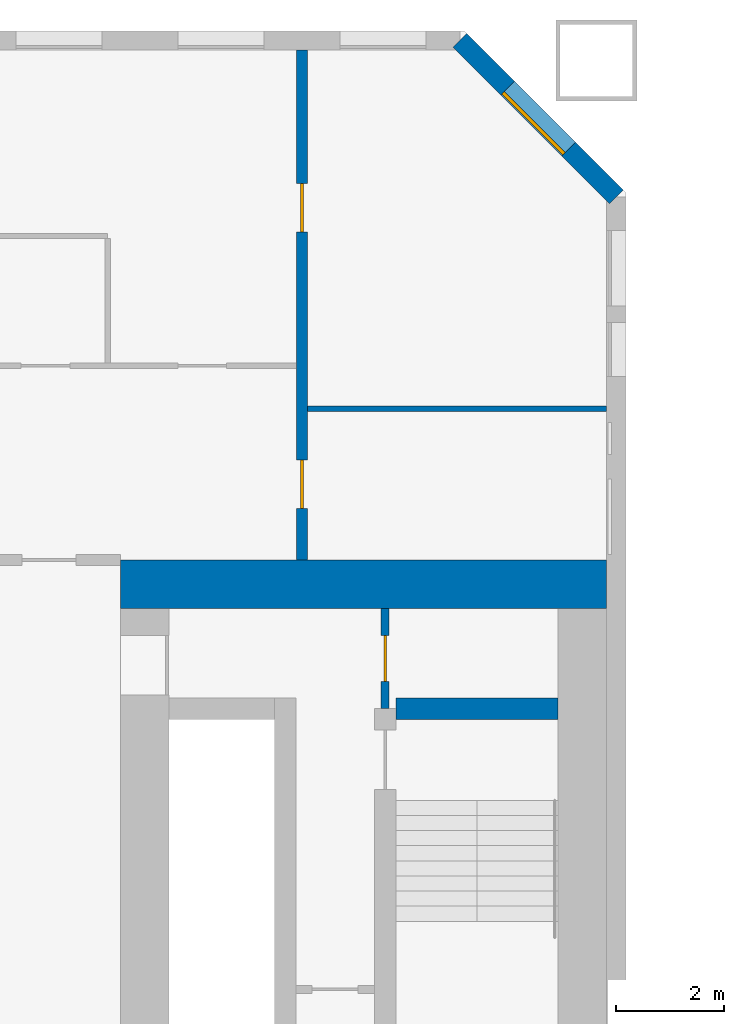
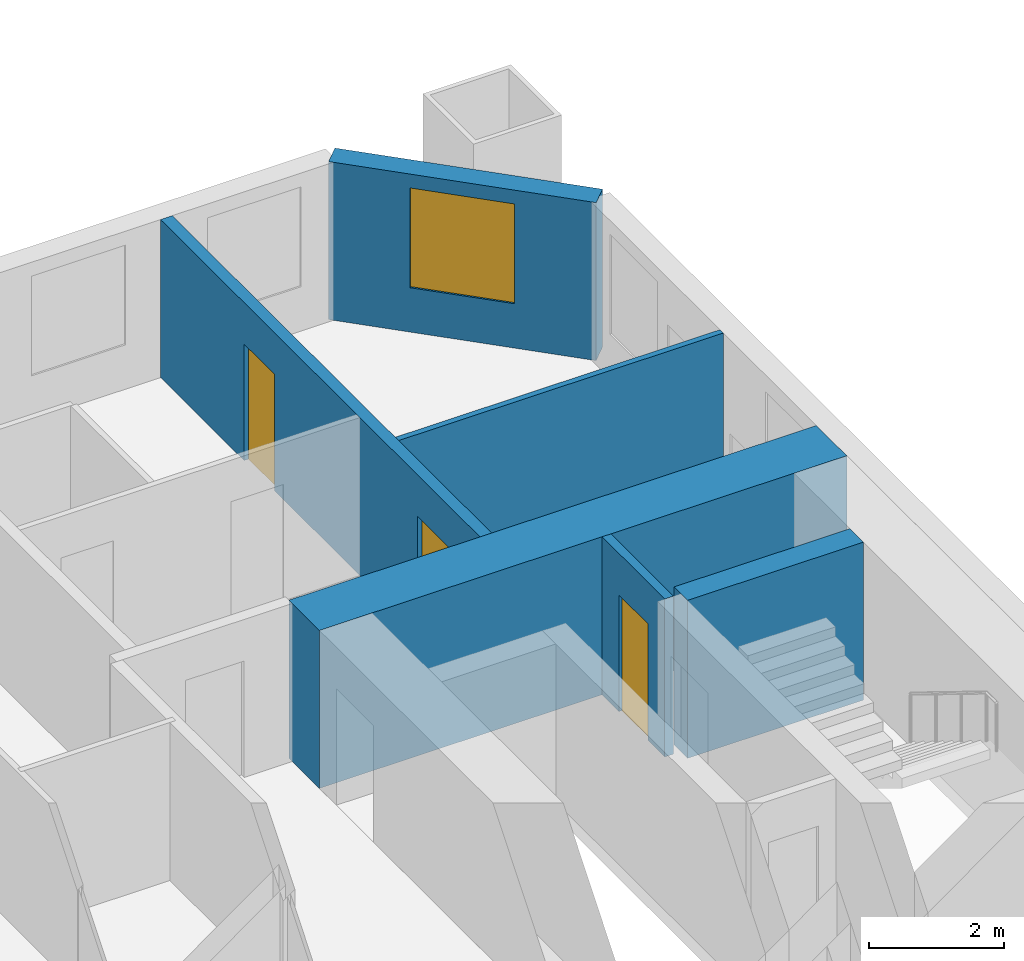
# One storey, part 9 of 18: 6 walls, 3 doors, 1 window, 4 openings.
"""IFC4 building model written with IfcOpenShell, lengths in metres."""

import ifcopenshell
import ifcopenshell.guid

model = None  # the IFC model being written
_history = None  # IfcOwnerHistory: only IFC2X3 demands one
_inside = {}  # id of a spatial element -> (the spatial element, [elements in it])
_under = {}  # id of a project, library or spatial element -> (it, [spatial elements below it])
_declared = {}  # id of a project -> (the project, [libraries it declares])
_typed = {}  # id of a type object -> (the type object, [elements of that type])
_made_of = {}  # id of a material, layer set ... -> (it, [elements and type objects made of it])


def new_model(schema):
    """Start an empty IFC model of exactly this schema.

    Asked for "IFC4X3", IfcOpenShell would pick the latest addendum, in which some entities
    have other attributes; the version numbers below select the first issue.
    IFC2X3 requires an IfcOwnerHistory on every rooted entity: one is made here for all.
    """
    global model, _history
    if schema == "IFC4X3":
        model = ifcopenshell.file(schema_version=(4, 3, 0, 0))
    else:
        model = ifcopenshell.file(schema=schema)
    _inside.clear()
    _under.clear()
    _declared.clear()
    _typed.clear()
    _made_of.clear()
    _history = None
    if model.schema == "IFC2X3":
        org = make("IfcOrganization", Name="unknown")
        user = make(
            "IfcPersonAndOrganization",
            ThePerson=make("IfcPerson", FamilyName="unknown"),
            TheOrganization=org,
        )
        app = make(
            "IfcApplication",
            ApplicationDeveloper=org,
            Version="unknown",
            ApplicationFullName="unknown",
            ApplicationIdentifier="unknown",
        )
        _history = make(
            "IfcOwnerHistory",
            OwningUser=user,
            OwningApplication=app,
            ChangeAction="ADDED",
            CreationDate=0,
        )
    return model


def make(cls, **values):
    """One entity of the class cls with the attributes given. An attribute that is None is left unset."""
    return model.create_entity(
        cls, **{name: value for name, value in values.items() if value is not None}
    )


def rooted(cls, **values):
    """An entity with a GlobalId (a new one), such as an element, a storey or a relation."""
    return make(cls, GlobalId=ifcopenshell.guid.new(), OwnerHistory=_history, **values)


def si_unit(unit_type, name, prefix=None):
    """IfcSIUnit, for example si_unit("LENGTHUNIT", "METRE", prefix="MILLI")."""
    return make("IfcSIUnit", UnitType=unit_type, Prefix=prefix, Name=name)


def assignment(units):
    """IfcUnitAssignment: the units of a project."""
    return None if units is None else make("IfcUnitAssignment", Units=units)


def point(xyz):
    """IfcCartesianPoint."""
    return None if xyz is None else make("IfcCartesianPoint", Coordinates=xyz)


def direction(xyz):
    """IfcDirection."""
    return None if xyz is None else make("IfcDirection", DirectionRatios=xyz)


def frame(location, z_axis=None, x_axis=None):
    """IfcAxis2Placement3D, a coordinate frame: its origin and axes. An axis left out is left unset."""
    return make(
        "IfcAxis2Placement3D",
        Location=point(location),
        Axis=direction(z_axis),
        RefDirection=direction(x_axis),
    )


def frame_2d(location, x_axis=None):
    """IfcAxis2Placement2D, a coordinate frame in the plane: its origin and x axis."""
    return make(
        "IfcAxis2Placement2D", Location=point(location), RefDirection=direction(x_axis)
    )


def origin():
    """The frame at (0, 0, 0) with its axes left unset."""
    return frame((0.0, 0.0, 0.0))


def place(relative_to, where):
    """IfcLocalPlacement: puts the frame where relative to a parent placement (None: the world)."""
    return make(
        "IfcLocalPlacement", PlacementRelTo=relative_to, RelativePlacement=where
    )


def context(
    kind, dimensions, precision=None, world=None, true_north=None, identifier=None
):
    """IfcGeometricRepresentationContext, for example the 3D "Model" context."""
    return make(
        "IfcGeometricRepresentationContext",
        ContextIdentifier=identifier,
        ContextType=kind,
        CoordinateSpaceDimension=dimensions,
        Precision=precision,
        WorldCoordinateSystem=world,
        TrueNorth=true_north,
    )


def subcontext(parent, identifier, kind, view, scale=None):
    """IfcGeometricRepresentationSubContext, for example "Body" below "Model"."""
    return make(
        "IfcGeometricRepresentationSubContext",
        ContextIdentifier=identifier,
        ContextType=kind,
        ParentContext=parent,
        TargetScale=scale,
        TargetView=view,
    )


def project(units=None, contexts=None):
    """IfcProject with its units and contexts."""
    return rooted(
        "IfcProject",
        Name="project",
        RepresentationContexts=contexts,
        UnitsInContext=assignment(units),
    )


def spatial(cls, under=None, at=None, **own):
    """A site, building, storey or space (cls), placed at a placement, below another one or the project."""
    s = rooted(cls, ObjectPlacement=at, **own)
    if under is not None:
        _under.setdefault(under.id(), (under, []))[1].append(s)
    return s


def profile(cls, at=None, kind="AREA", **sizes):
    """A parametric profile (cls). Its sizes go by their IFC names, for example OverallWidth=200.0."""
    return make(cls, ProfileType=kind, Position=at, **sizes)


def rectangle(**sizes):
    """IfcRectangleProfileDef."""
    return profile("IfcRectangleProfileDef", **sizes)


def extrude(swept, where, along, depth):
    """IfcExtrudedAreaSolid: the profile swept, set in the frame where, extruded along a direction by depth."""
    return make(
        "IfcExtrudedAreaSolid",
        SweptArea=swept,
        Position=where,
        ExtrudedDirection=direction(along),
        Depth=depth,
    )


def shape(context_of_items, identifier, shape_type, items):
    """IfcShapeRepresentation: the items that make up one representation, for example the "Body"."""
    return make(
        "IfcShapeRepresentation",
        ContextOfItems=context_of_items,
        RepresentationIdentifier=identifier,
        RepresentationType=shape_type,
        Items=items,
    )


def material(Name=None, Category=None):
    """IfcMaterial."""
    return make("IfcMaterial", Name=Name, Category=Category)


def layer(
    of_material, thickness, ventilated=None, Name=None, Category=None, Priority=None
):
    """IfcMaterialLayer: one layer of a wall or slab, of a material (None: an air gap)."""
    return make(
        "IfcMaterialLayer",
        Material=of_material,
        LayerThickness=thickness,
        IsVentilated=ventilated,
        Name=Name,
        Category=Category,
        Priority=Priority,
    )


def layer_set(layers, Name=None):
    """IfcMaterialLayerSet."""
    return make("IfcMaterialLayerSet", MaterialLayers=layers, LayerSetName=Name)


def made_of(thing, what):
    """Note that an element or type object is made of a material, layer set ...; save() writes the relation."""
    if what is not None:
        _made_of.setdefault(what.id(), (what, []))[1].append(thing)
    return thing


def type_object(cls, material=None, **own):
    """A type object (cls), such as IfcWallType, which elements share."""
    return made_of(rooted(cls, **own), material)


def element(
    cls,
    number,
    at=None,
    inside=None,
    cuts=None,
    type_object=None,
    material=None,
    context=None,
    identifier="Body",
    shape_type=None,
    held_by="IfcProductDefinitionShape",
    body=None,
    shapes=None,
    **own,
):
    """One element of the class cls, such as IfcWall. Its Tag is "e" and its number.

    at: its placement. inside: the storey or other place that contains it. cuts: it is an
    opening in that element (IfcRelVoidsElement). A single representation is given by context,
    identifier, shape_type and body (its items); several are given by shapes. held_by: the class
    of the entity that holds the representations. save() writes the other relations.
    """
    e = rooted(cls, Tag="e%d" % number, ObjectPlacement=at, **own)
    if body is not None:
        shapes = [shape(context, identifier, shape_type, body)]
    if shapes is not None:
        e.Representation = make(held_by, Representations=shapes)
    if inside is not None:
        _inside.setdefault(inside.id(), (inside, []))[1].append(e)
    if cuts is not None:
        rooted(
            "IfcRelVoidsElement", RelatingBuildingElement=cuts, RelatedOpeningElement=e
        )
    if type_object is not None:
        _typed.setdefault(type_object.id(), (type_object, []))[1].append(e)
    return made_of(e, material)


def fill(opening, filler):
    """IfcRelFillsElement: the door or window that sits in an opening."""
    return rooted(
        "IfcRelFillsElement",
        RelatingOpeningElement=opening,
        RelatedBuildingElement=filler,
    )


def aggregate(whole, parts):
    """IfcRelAggregates: a whole, such as a stair, and the parts it consists of."""
    return rooted("IfcRelAggregates", RelatingObject=whole, RelatedObjects=parts)


def save(model, path):
    """Write the relations noted so far, then the file.

    IfcRelAggregates (storeys below a building ...), IfcRelContainedInSpatialStructure (elements
    in a storey), IfcRelDefinesByType, IfcRelAssociatesMaterial and IfcRelDeclares: one each for
    every whole, place, type object, material and project.
    """
    for whole, parts in _under.values():
        aggregate(whole, parts)
    for where, things in _inside.values():
        rooted(
            "IfcRelContainedInSpatialStructure",
            RelatedElements=things,
            RelatingStructure=where,
        )
    for kind, things in _typed.values():
        rooted("IfcRelDefinesByType", RelatedObjects=things, RelatingType=kind)
    for what, things in _made_of.values():
        rooted("IfcRelAssociatesMaterial", RelatedObjects=things, RelatingMaterial=what)
    for by, libraries in _declared.values():
        rooted("IfcRelDeclares", RelatingContext=by, RelatedDefinitions=libraries)
    model.write(path)


model = new_model("IFC4")

# Units and contexts
model_context = context("Model", 3, precision=1e-05, world=origin(), true_north=direction((0.0, 1.0)))
body_context = subcontext(model_context, "Body", "Model", "MODEL_VIEW")
ifc_project = project(units=[si_unit("LENGTHUNIT", "METRE"), si_unit("AREAUNIT", "SQUARE_METRE"), si_unit("VOLUMEUNIT", "CUBIC_METRE"), si_unit("PLANEANGLEUNIT", "RADIAN"), si_unit("MASSUNIT", "GRAM", prefix="KILO")], contexts=[model_context])

# Site, building, storey
site_placement = place(None, origin())
site = spatial("IfcSite", under=ifc_project, at=site_placement, CompositionType="ELEMENT")
building_placement = place(site_placement, origin())
building = spatial("IfcBuilding", under=site, at=building_placement, Name="Tuart Gate Housing", CompositionType="ELEMENT")
storey_placement = place(building_placement, frame((0.0, 0.0, 31.89990234375)))
storey = spatial("IfcBuildingStorey", under=building, at=storey_placement, Name="L08", CompositionType="ELEMENT", Elevation=31.89990234375)

# Wall, opening, window
ifc_material_1 = material(Name="Brick", Category="masonry")
ifc_layer_1 = layer(ifc_material_1, 0.360107421875)
ifc_layer_set_1 = layer_set([ifc_layer_1], Name="Brick pier and spandrel wall 360")
wall_type_1 = type_object("IfcWallType", Name="Brick pier and spandrel wall 360", PredefinedType="STANDARD", material=ifc_layer_set_1)
wall_1_placement = place(storey_placement, frame((75.820068359375, 82.92529296875, 0.0), z_axis=(0.0, 0.0, 1.0), x_axis=(-0.707106781187, 0.707106781187, 0.0)))
wall_1 = element("IfcWall", 1, at=wall_1_placement, inside=storey, type_object=wall_type_1, Name="External wall A-NE L08", PredefinedType="STANDARD", context=body_context, shape_type="SweptSolid", body=[
    extrude(rectangle(XDim=4.09375, YDim=0.360107421875, at=frame_2d((2.046875, 0.0))), origin(), (0.0, 0.0, 1.0), 2.85009765625),
])
opening_1_placement = place(wall_1_placement, frame((1.2470703125, 0.0, 0.800048828125)))
opening_1 = element("IfcOpeningElement", 2, at=opening_1_placement, cuts=wall_1, Name="Opening W1", PredefinedType="OPENING", context=body_context, shape_type="SweptSolid", body=[
    extrude(rectangle(XDim=1.60009765625, YDim=1.800048828125, at=frame_2d((0.800048828125, 0.89990234375))), frame((0.0, 0.18994140625, 0.0), z_axis=(0.0, -1.0, 0.0), x_axis=(1.0, 0.0, 0.0)), (0.0, 0.0, 1.0), 0.380126953125),
])
ifc_material_2 = material(Name="Aluminium frame with clear glass", Category="aluminium")
window_type = type_object("IfcWindowType", Name="Punched window 1600 x 1800", PartitioningType="SINGLE_PANEL", PredefinedType="WINDOW", material=ifc_material_2)
window_placement = place(opening_1_placement, origin())
window = element("IfcWindow", 3, at=window_placement, inside=storey, type_object=window_type, Name="Window W1", OverallHeight=1.800048828125, OverallWidth=1.60009765625, PartitioningType="SINGLE_PANEL", PredefinedType="WINDOW", context=body_context, shape_type="SweptSolid", body=[
    extrude(rectangle(XDim=1.60009765625, YDim=1.800048828125, at=frame_2d((0.800048828125, 0.89990234375))), frame((0.0, 0.150146484375, 0.0), z_axis=(0.0, -1.0, 0.0), x_axis=(1.0, 0.0, 0.0)), (0.0, 0.0, 1.0), 0.06005859375),
])
fill(opening_1, window)

# Wall, opening, door
ifc_material_3 = material(Name="Plasterboard partition")
ifc_layer_2 = layer(ifc_material_3, 0.14990234375)
ifc_layer_set_2 = layer_set([ifc_layer_2], Name="Core partition 150")
wall_type_2 = type_object("IfcWallType", Name="Core partition 150", PredefinedType="PARTITIONING", material=ifc_layer_set_2)
wall_2_placement = place(storey_placement, frame((71.5400390625, 73.449951171875, 0.0), z_axis=(0.0, 0.0, 1.0), x_axis=(0.0, 1.0, 0.0)))
wall_2 = element("IfcWall", 4, at=wall_2_placement, inside=storey, type_object=wall_type_2, Name="Core partition AG.9", PredefinedType="PARTITIONING", context=body_context, shape_type="SweptSolid", body=[
    extrude(rectangle(XDim=1.85009765625, YDim=0.14990234375, at=frame_2d((0.925048828125, 0.0))), origin(), (0.0, 0.0, 1.0), 2.85009765625),
])
opening_2_placement = place(wall_2_placement, frame((0.5, 0.0, 0.0)))
opening_2 = element("IfcOpeningElement", 5, at=opening_2_placement, cuts=wall_2, Name="Opening D492", PredefinedType="OPENING", context=body_context, shape_type="SweptSolid", body=[
    extrude(rectangle(XDim=0.85009765625, YDim=2.10009765625, at=frame_2d((0.425048828125, 1.050048828125))), frame((0.0, 0.0849609375, 0.0), z_axis=(0.0, -1.0, 0.0), x_axis=(1.0, 0.0, 0.0)), (0.0, 0.0, 1.0), 0.169921875),
])
ifc_material_4 = material(Name="Steel fire door", Category="steel")
door_type_1 = type_object("IfcDoorType", Name="Service door 850 x 2100 RH", OperationType="SINGLE_SWING_RIGHT", PredefinedType="DOOR", material=ifc_material_4)
door_1_placement = place(opening_2_placement, frame((0.85009765625, 0.0, 0.0), z_axis=(0.0, 0.0, 1.0), x_axis=(-1.0, 0.0, 0.0)))
door_1 = element("IfcDoor", 6, at=door_1_placement, inside=storey, type_object=door_type_1, Name="Service room door AG.ST", OperationType="SINGLE_SWING_RIGHT", OverallHeight=2.10009765625, OverallWidth=0.85009765625, PredefinedType="DOOR", context=body_context, shape_type="SweptSolid", body=[
    extrude(rectangle(XDim=0.85009765625, YDim=2.10009765625, at=frame_2d((0.425048828125, 1.050048828125))), frame((0.0, 0.025146484375, 0.0), z_axis=(0.0, -1.0, 0.0), x_axis=(1.0, 0.0, 0.0)), (0.0, 0.0, 1.0), 0.050048828125),
])
fill(opening_2, door_1)

# Walls
ifc_material_5 = material(Name="Concrete C60", Category="concrete")
ifc_layer_3 = layer(ifc_material_5, 0.39990234375)
ifc_layer_set_3 = layer_set([ifc_layer_3], Name="Core wall 400 C60")
wall_type_3 = type_object("IfcWallType", Name="Core wall 400 C60", PredefinedType="SHEAR", material=ifc_layer_set_3)
wall_3_placement = place(storey_placement, frame((71.739990234375, 73.449951171875, 0.0), z_axis=(0.0, 0.0, 1.0), x_axis=(1.0, 0.0, 0.0)))
element("IfcWall", 7, at=wall_3_placement, inside=storey, type_object=wall_type_3, Name="Core wall AG.5", PredefinedType="SHEAR", context=body_context, shape_type="SweptSolid", body=[
    extrude(rectangle(XDim=3.0, YDim=0.39990234375, at=frame_2d((1.5, 0.0))), origin(), (0.0, 0.0, 1.0), 2.85009765625),
])
ifc_material_6 = material(Name="Concrete C60", Category="concrete")
ifc_layer_4 = layer(ifc_material_6, 0.89990234375)
ifc_layer_set_4 = layer_set([ifc_layer_4], Name="Core wall 900 C60")
wall_type_4 = type_object("IfcWallType", Name="Core wall 900 C60", PredefinedType="SHEAR", material=ifc_layer_set_4)
wall_4_placement = place(storey_placement, frame((66.639892578125, 75.75, 0.0), z_axis=(0.0, 0.0, 1.0), x_axis=(1.0, 0.0, 0.0)))
element("IfcWall", 8, at=wall_4_placement, inside=storey, type_object=wall_type_4, Name="Core wall AG north", PredefinedType="SHEAR", context=body_context, shape_type="SweptSolid", body=[
    extrude(rectangle(XDim=9.0, YDim=0.89990234375, at=frame_2d((4.5, 0.0))), origin(), (0.0, 0.0, 1.0), 2.85009765625),
])
ifc_material_7 = material(Name="Gypsum board on steel studs", Category="steel")
ifc_layer_5 = layer(ifc_material_7, 0.10009765625)
ifc_layer_set_5 = layer_set([ifc_layer_5], Name="Partition 100")
wall_type_5 = type_object("IfcWallType", Name="Partition 100", PredefinedType="PARTITIONING", material=ifc_layer_set_5)
wall_5_placement = place(storey_placement, frame((70.10009765625, 79.0, 0.0), z_axis=(0.0, 0.0, 1.0), x_axis=(1.0, 0.0, 0.0)))
element("IfcWall", 9, at=wall_5_placement, inside=storey, type_object=wall_type_5, Name="Partition 100", PredefinedType="PARTITIONING", context=body_context, shape_type="SweptSolid", body=[
    extrude(rectangle(XDim=5.539794921875, YDim=0.10009765625, at=frame_2d((2.77001953125, 0.0))), origin(), (0.0, 0.0, 1.0), 2.85009765625),
])

# Wall, openings, doors
ifc_material_8 = material(Name="Concrete C40", Category="concrete")
ifc_layer_6 = layer(ifc_material_8, 0.199951171875)
ifc_layer_set_6 = layer_set([ifc_layer_6], Name="Party wall concrete C40 200")
wall_type_6 = type_object("IfcWallType", Name="Party wall concrete C40 200", PredefinedType="SOLIDWALL", material=ifc_layer_set_6)
wall_6_placement = place(storey_placement, frame((70.0, 76.199951171875, 0.0), z_axis=(0.0, 0.0, 1.0), x_axis=(0.0, 1.0, 0.0)))
wall_6 = element("IfcWall", 10, at=wall_6_placement, inside=storey, type_object=wall_type_6, Name="Party wall concrete C40 200", PredefinedType="SOLIDWALL", context=body_context, shape_type="SweptSolid", body=[
    extrude(rectangle(XDim=9.43994140625, YDim=0.199951171875, at=frame_2d((4.719970703125, 0.0))), origin(), (0.0, 0.0, 1.0), 2.85009765625),
])
opening_3_placement = place(wall_6_placement, frame((6.070068359375, 0.0, 0.0)))
opening_3 = element("IfcOpeningElement", 11, at=opening_3_placement, cuts=wall_6, Name="Opening D471", PredefinedType="OPENING", context=body_context, shape_type="SweptSolid", body=[
    extrude(rectangle(XDim=0.89990234375, YDim=2.10009765625, at=frame_2d((0.449951171875, 1.050048828125))), frame((0.0, 0.10986328125, 0.0), z_axis=(0.0, -1.0, 0.0), x_axis=(1.0, 0.0, 0.0)), (0.0, 0.0, 1.0), 0.219970703125),
])
opening_4_placement = place(wall_6_placement, frame((0.949951171875, 0.0, 0.0)))
opening_4 = element("IfcOpeningElement", 12, at=opening_4_placement, cuts=wall_6, Name="Opening D472", PredefinedType="OPENING", context=body_context, shape_type="SweptSolid", body=[
    extrude(rectangle(XDim=0.89990234375, YDim=2.10009765625, at=frame_2d((0.449951171875, 1.050048828125))), frame((0.0, 0.10986328125, 0.0), z_axis=(0.0, -1.0, 0.0), x_axis=(1.0, 0.0, 0.0)), (0.0, 0.0, 1.0), 0.219970703125),
])
ifc_material_9 = material(Name="Timber door leaf in steel frame", Category="steel")
door_type_2 = type_object("IfcDoorType", Name="Internal door 900", OperationType="SINGLE_SWING_LEFT", PredefinedType="DOOR", material=ifc_material_9)
door_2_placement = place(opening_3_placement, frame((0.89990234375, 0.0, 0.0), z_axis=(0.0, 0.0, 1.0), x_axis=(-1.0, 0.0, 0.0)))
door_2 = element("IfcDoor", 13, at=door_2_placement, inside=storey, type_object=door_type_2, Name="Internal door", OperationType="SINGLE_SWING_LEFT", OverallHeight=2.10009765625, OverallWidth=0.89990234375, PredefinedType="DOOR", context=body_context, shape_type="SweptSolid", body=[
    extrude(rectangle(XDim=0.89990234375, YDim=2.10009765625, at=frame_2d((0.449951171875, 1.050048828125))), frame((0.0, 0.025146484375, 0.0), z_axis=(0.0, -1.0, 0.0), x_axis=(1.0, 0.0, 0.0)), (0.0, 0.0, 1.0), 0.050048828125),
])
fill(opening_3, door_2)
ifc_material_10 = material(Name="Timber door leaf in steel frame", Category="steel")
door_type_3 = type_object("IfcDoorType", Name="Internal door 900 RH", OperationType="SINGLE_SWING_RIGHT", PredefinedType="DOOR", material=ifc_material_10)
door_3_placement = place(opening_4_placement, frame((0.89990234375, 0.0, 0.0), z_axis=(0.0, 0.0, 1.0), x_axis=(-1.0, 0.0, 0.0)))
door_3 = element("IfcDoor", 14, at=door_3_placement, inside=storey, type_object=door_type_3, Name="Internal door", OperationType="SINGLE_SWING_RIGHT", OverallHeight=2.10009765625, OverallWidth=0.89990234375, PredefinedType="DOOR", context=body_context, shape_type="SweptSolid", body=[
    extrude(rectangle(XDim=0.89990234375, YDim=2.10009765625, at=frame_2d((0.449951171875, 1.050048828125))), frame((0.0, 0.025146484375, 0.0), z_axis=(0.0, -1.0, 0.0), x_axis=(1.0, 0.0, 0.0)), (0.0, 0.0, 1.0), 0.050048828125),
])
fill(opening_4, door_3)

save(model, "model.ifc")
